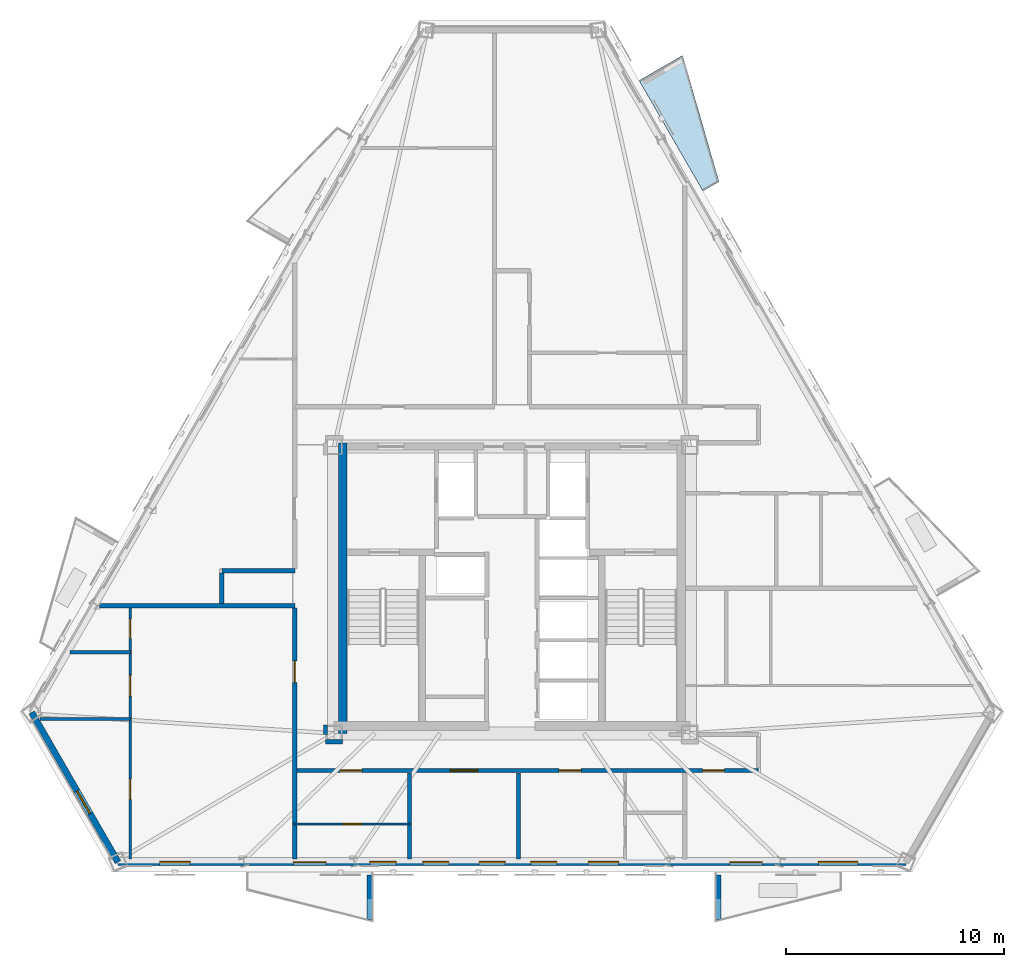
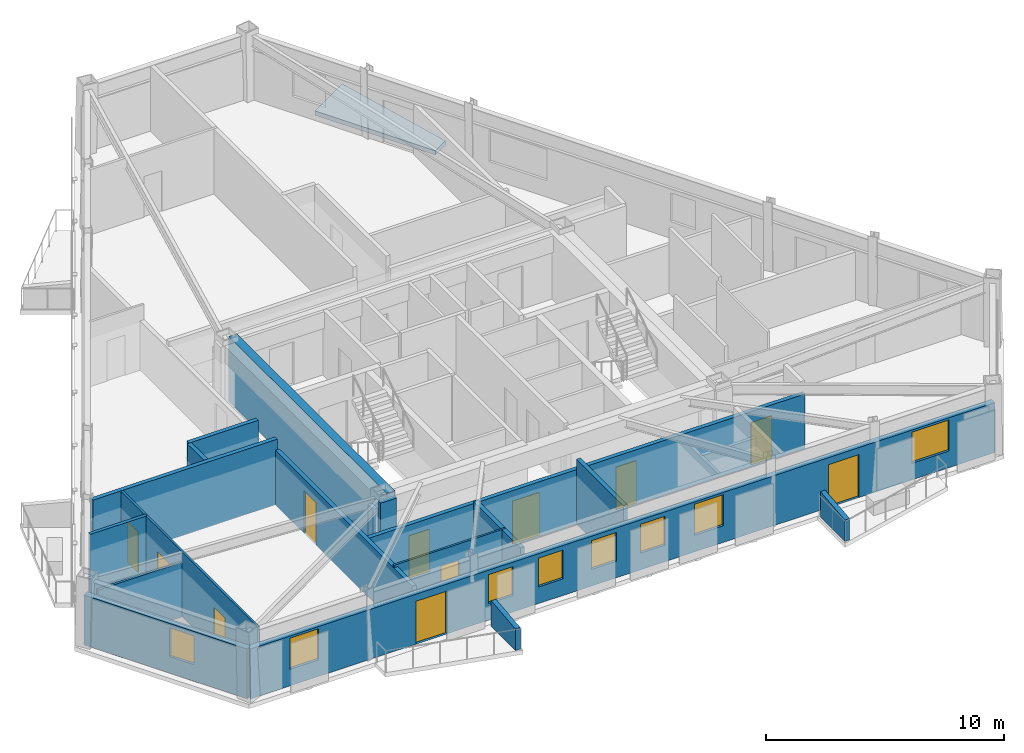
# One storey, part 2 of 9: 18 walls, 11 doors, 8 windows, 1 slab, 19 openings.
"""IFC4 building model written with IfcOpenShell, lengths in metres."""

from ifc_helpers import new_model, si_unit, direction, frame, frame_2d, origin, place, context, subcontext, project, spatial, polyline, rectangle, outline, extrude, material, layer, layer_set, type_object, element, fill, save


model = new_model("IFC4")

# Units and contexts
model_context = context("Model", 3, precision=1e-05, world=origin(), true_north=direction((0.0, 1.0)))
body_context = subcontext(model_context, "Body", "Model", "MODEL_VIEW")
ifc_project = project(units=[si_unit("LENGTHUNIT", "METRE"), si_unit("AREAUNIT", "SQUARE_METRE"), si_unit("VOLUMEUNIT", "CUBIC_METRE"), si_unit("PLANEANGLEUNIT", "RADIAN"), si_unit("MASSUNIT", "GRAM", prefix="KILO")], contexts=[model_context])

# Site, building, storey
site_placement = place(None, origin())
site = spatial("IfcSite", under=ifc_project, at=site_placement, CompositionType="ELEMENT")
building_placement = place(site_placement, origin())
building = spatial("IfcBuilding", under=site, at=building_placement, Name="Oramaril Tower", CompositionType="ELEMENT")
storey_placement = place(building_placement, frame((0.0, 0.0, 185.39990234375)))
storey = spatial("IfcBuildingStorey", under=building, at=storey_placement, Name="L49", CompositionType="ELEMENT", Elevation=185.39990234375)

# Slab
ifc_material_1 = material(Name="Concrete C40/50", Category="concrete")
ifc_layer_1 = layer(ifc_material_1, 0.199951171875)
ifc_layer_set_1 = layer_set([ifc_layer_1], Name="SLT-BAL20")
slab_type = type_object("IfcSlabType", Name="SLT-BAL20", PredefinedType="FLOOR", material=ifc_layer_set_1)
slab_placement = place(storey_placement, frame((0.0, 0.0, -0.219970703125)))
element("IfcSlab", 1, at=slab_placement, inside=storey, type_object=slab_type, Name="L49 Cantilevered Balcony Slab L49-BAL-NE2", PredefinedType="FLOOR", context=body_context, shape_type="SweptSolid", body=[
    extrude(outline(polyline([(46.250244140625, 35.859375), (43.3251953125, 40.925537109375), (45.31884765625, 42.07666015625), (46.988037109375, 36.285400390625), (46.250244140625, 35.859375)])), origin(), (0.0, 0.0, 1.0), 0.219970703125),
])

# Wall, opening, window
ifc_material_2 = material(Name="Warm Cream Limestone", Category="masonry")
ifc_layer_2 = layer(ifc_material_2, 0.2900390625)
ifc_layer_set_2 = layer_set([ifc_layer_2], Name="WT-EXT29")
wall_type_1 = type_object("IfcWallType", Name="WT-EXT29", PredefinedType="SOLIDWALL", material=ifc_layer_set_2)
wall_1_placement = place(storey_placement, frame((15.481201171875, 11.961669921875, 0.0), z_axis=(0.0, 0.0, 1.0), x_axis=(0.500003421258, -0.866023428511, 0.0)))
wall_1 = element("IfcWall", 2, at=wall_1_placement, inside=storey, type_object=wall_type_1, Name="L49 Tower Limestone Facade Wall 1M", PredefinedType="SOLIDWALL", context=body_context, shape_type="SweptSolid", body=[
    extrude(rectangle(XDim=7.9228515625, YDim=0.2900390625, at=frame_2d((3.96142578125, 0.0))), origin(), (0.0, 0.0, 1.0), 2.56005859375),
])
opening_1_placement = place(wall_1_placement, frame((4.152099609375, 0.0, 0.85009765625)))
opening_1 = element("IfcOpeningElement", 3, at=opening_1_placement, cuts=wall_1, Name="Opening WN-09", PredefinedType="OPENING", context=body_context, shape_type="SweptSolid", body=[
    extrude(rectangle(XDim=1.199951171875, YDim=1.47998046875, at=frame_2d((0.60009765625, 0.739990234375))), frame((0.0, 0.14501953125, 0.0), z_axis=(0.0, -1.0, 0.0), x_axis=(1.0, 0.0, 0.0)), (0.0, 0.0, 1.0), 0.2900390625),
])
ifc_material_3 = material(Name="Coastal Low-E Insulated Glass", Category="glass")
window_type_1 = type_object("IfcWindowType", Name="WNT-09", PartitioningType="SINGLE_PANEL", PredefinedType="WINDOW", material=ifc_material_3)
window_1_placement = place(opening_1_placement, origin())
window_1 = element("IfcWindow", 4, at=window_1_placement, inside=storey, type_object=window_type_1, Name="L49 Apartment Bedroom Window WN-09", OverallHeight=1.47998046875, OverallWidth=1.199951171875, PartitioningType="SINGLE_PANEL", PredefinedType="WINDOW", context=body_context, shape_type="SweptSolid", body=[
    extrude(rectangle(XDim=1.199951171875, YDim=1.47998046875, at=frame_2d((0.60009765625, 0.739990234375))), frame((0.0, 0.030029296875, 0.0), z_axis=(0.0, -1.0, 0.0), x_axis=(1.0, 0.0, 0.0)), (0.0, 0.0, 1.0), 0.06005859375),
])
fill(opening_1, window_1)

# Wall, openings, doors, windows
wall_2_placement = place(storey_placement, frame((19.442626953125, 5.100341796875, 0.0), z_axis=(0.0, 0.0, 1.0), x_axis=(1.0, 0.0, 0.0)))
wall_2 = element("IfcWall", 5, at=wall_2_placement, inside=storey, type_object=wall_type_1, Name="L49 Tower Limestone Facade Wall 2M", PredefinedType="SOLIDWALL", context=body_context, shape_type="SweptSolid", body=[
    extrude(rectangle(XDim=36.11474609375, YDim=0.2900390625, at=frame_2d((18.057373046875, 0.0))), origin(), (0.0, 0.0, 1.0), 2.56005859375),
])
opening_2_placement = place(wall_2_placement, frame((8.034423828125, 0.0, 0.0)))
opening_2 = element("IfcOpeningElement", 6, at=opening_2_placement, cuts=wall_2, Name="Opening D-L49-BAL-S1", PredefinedType="OPENING", context=body_context, shape_type="SweptSolid", body=[
    extrude(rectangle(XDim=1.5, YDim=2.199951171875, at=frame_2d((0.75, 1.10009765625))), frame((0.0, 0.14501953125, 0.0), z_axis=(0.0, -1.0, 0.0), x_axis=(1.0, 0.0, 0.0)), (0.0, 0.0, 1.0), 0.2900390625),
])
opening_3_placement = place(wall_2_placement, frame((28.03515625, 0.0, 0.0)))
opening_3 = element("IfcOpeningElement", 7, at=opening_3_placement, cuts=wall_2, Name="Opening D-L49-BAL-S2", PredefinedType="OPENING", context=body_context, shape_type="SweptSolid", body=[
    extrude(rectangle(XDim=1.5, YDim=2.199951171875, at=frame_2d((0.75, 1.10009765625))), frame((0.0, 0.14501953125, 0.0), z_axis=(0.0, -1.0, 0.0), x_axis=(1.0, 0.0, 0.0)), (0.0, 0.0, 1.0), 0.2900390625),
])
opening_4_placement = place(wall_2_placement, frame((13.966796875, 0.0, 0.85009765625)))
opening_4 = element("IfcOpeningElement", 8, at=opening_4_placement, cuts=wall_2, Name="Opening WN-09", PredefinedType="OPENING", context=body_context, shape_type="SweptSolid", body=[
    extrude(rectangle(XDim=1.199951171875, YDim=1.47998046875, at=frame_2d((0.60009765625, 0.739990234375))), frame((0.0, 0.14501953125, 0.0), z_axis=(0.0, -1.0, 0.0), x_axis=(1.0, 0.0, 0.0)), (0.0, 0.0, 1.0), 0.2900390625),
])
opening_5_placement = place(wall_2_placement, frame((16.547607421875, 0.0, 0.85009765625)))
opening_5 = element("IfcOpeningElement", 9, at=opening_5_placement, cuts=wall_2, Name="Opening WN-09", PredefinedType="OPENING", context=body_context, shape_type="SweptSolid", body=[
    extrude(rectangle(XDim=1.199951171875, YDim=1.47998046875, at=frame_2d((0.60009765625, 0.739990234375))), frame((0.0, 0.14501953125, 0.0), z_axis=(0.0, -1.0, 0.0), x_axis=(1.0, 0.0, 0.0)), (0.0, 0.0, 1.0), 0.2900390625),
])
opening_6_placement = place(wall_2_placement, frame((11.542236328125, 0.0, 0.85009765625)))
opening_6 = element("IfcOpeningElement", 10, at=opening_6_placement, cuts=wall_2, Name="Opening WN-09", PredefinedType="OPENING", context=body_context, shape_type="SweptSolid", body=[
    extrude(rectangle(XDim=1.199951171875, YDim=1.47998046875, at=frame_2d((0.60009765625, 0.739990234375))), frame((0.0, 0.14501953125, 0.0), z_axis=(0.0, -1.0, 0.0), x_axis=(1.0, 0.0, 0.0)), (0.0, 0.0, 1.0), 0.2900390625),
])
opening_7_placement = place(wall_2_placement, frame((18.91748046875, 0.0, 0.85009765625)))
opening_7 = element("IfcOpeningElement", 11, at=opening_7_placement, cuts=wall_2, Name="Opening WN-09", PredefinedType="OPENING", context=body_context, shape_type="SweptSolid", body=[
    extrude(rectangle(XDim=1.199951171875, YDim=1.47998046875, at=frame_2d((0.60009765625, 0.739990234375))), frame((0.0, 0.14501953125, 0.0), z_axis=(0.0, -1.0, 0.0), x_axis=(1.0, 0.0, 0.0)), (0.0, 0.0, 1.0), 0.2900390625),
])
opening_8_placement = place(wall_2_placement, frame((21.543212890625, 0.0, 0.85009765625)))
opening_8 = element("IfcOpeningElement", 12, at=opening_8_placement, cuts=wall_2, Name="Opening WN-08", PredefinedType="OPENING", context=body_context, shape_type="SweptSolid", body=[
    extrude(rectangle(XDim=1.39990234375, YDim=1.60009765625, at=frame_2d((0.699951171875, 0.800048828125))), frame((0.0, 0.14501953125, 0.0), z_axis=(0.0, -1.0, 0.0), x_axis=(1.0, 0.0, 0.0)), (0.0, 0.0, 1.0), 0.2900390625),
])
opening_9_placement = place(wall_2_placement, frame((1.90234375, 0.0, 0.85009765625)))
opening_9 = element("IfcOpeningElement", 13, at=opening_9_placement, cuts=wall_2, Name="Opening WN-08", PredefinedType="OPENING", context=body_context, shape_type="SweptSolid", body=[
    extrude(rectangle(XDim=1.39990234375, YDim=1.60009765625, at=frame_2d((0.699951171875, 0.800048828125))), frame((0.0, 0.14501953125, 0.0), z_axis=(0.0, -1.0, 0.0), x_axis=(1.0, 0.0, 0.0)), (0.0, 0.0, 1.0), 0.2900390625),
])
opening_10_placement = place(wall_2_placement, frame((32.104736328125, 0.0, 0.85009765625)))
opening_10 = element("IfcOpeningElement", 14, at=opening_10_placement, cuts=wall_2, Name="Opening WN-06", PredefinedType="OPENING", context=body_context, shape_type="SweptSolid", body=[
    extrude(rectangle(XDim=1.800048828125, YDim=1.60009765625, at=frame_2d((0.89990234375, 0.800048828125))), frame((0.0, 0.14501953125, 0.0), z_axis=(0.0, -1.0, 0.0), x_axis=(1.0, 0.0, 0.0)), (0.0, 0.0, 1.0), 0.2900390625),
])
ifc_material_4 = material(Name="Anodised Aluminium 6063-T6", Category="aluminium")
door_type_1 = type_object("IfcDoorType", Name="DT-BAL", OperationType="NOTDEFINED", PredefinedType="DOOR", material=ifc_material_4)
door_1_placement = place(opening_2_placement, origin())
door_1 = element("IfcDoor", 15, at=door_1_placement, inside=storey, type_object=door_type_1, Name="L49 Balcony Glazed Door L49-BAL-S1", OperationType="SINGLE_SWING_RIGHT", OverallHeight=2.199951171875, OverallWidth=1.5, PredefinedType="DOOR", context=body_context, shape_type="SweptSolid", body=[
    extrude(rectangle(XDim=1.5, YDim=2.199951171875, at=frame_2d((0.75, 1.10009765625))), frame((0.0, 0.02490234375, 0.0), z_axis=(0.0, -1.0, 0.0), x_axis=(1.0, 0.0, 0.0)), (0.0, 0.0, 1.0), 0.050048828125),
])
fill(opening_2, door_1)
door_2_placement = place(opening_3_placement, origin())
door_2 = element("IfcDoor", 16, at=door_2_placement, inside=storey, type_object=door_type_1, Name="L49 Balcony Glazed Door L49-BAL-S2", OperationType="SINGLE_SWING_LEFT", OverallHeight=2.199951171875, OverallWidth=1.5, PredefinedType="DOOR", context=body_context, shape_type="SweptSolid", body=[
    extrude(rectangle(XDim=1.5, YDim=2.199951171875, at=frame_2d((0.75, 1.10009765625))), frame((0.0, 0.02490234375, 0.0), z_axis=(0.0, -1.0, 0.0), x_axis=(1.0, 0.0, 0.0)), (0.0, 0.0, 1.0), 0.050048828125),
])
fill(opening_3, door_2)
ifc_material_5 = material(Name="Coastal Low-E Insulated Glass", Category="glass")
window_type_2 = type_object("IfcWindowType", Name="WNT-06", PartitioningType="SINGLE_PANEL", PredefinedType="WINDOW", material=ifc_material_5)
window_2_placement = place(opening_10_placement, origin())
window_2 = element("IfcWindow", 17, at=window_2_placement, inside=storey, type_object=window_type_2, Name="L49 Chicago Bay Window WN-06", OverallHeight=1.60009765625, OverallWidth=1.800048828125, PartitioningType="SINGLE_PANEL", PredefinedType="WINDOW", context=body_context, shape_type="SweptSolid", body=[
    extrude(rectangle(XDim=1.800048828125, YDim=1.60009765625, at=frame_2d((0.89990234375, 0.800048828125))), frame((0.0, 0.030029296875, 0.0), z_axis=(0.0, -1.0, 0.0), x_axis=(1.0, 0.0, 0.0)), (0.0, 0.0, 1.0), 0.06005859375),
])
fill(opening_10, window_2)
ifc_material_6 = material(Name="Coastal Low-E Insulated Glass", Category="glass")
window_type_3 = type_object("IfcWindowType", Name="WNT-08", PartitioningType="SINGLE_PANEL", PredefinedType="WINDOW", material=ifc_material_6)
window_3_placement = place(opening_8_placement, origin())
window_3 = element("IfcWindow", 18, at=window_3_placement, inside=storey, type_object=window_type_3, Name="L49 Chicago Bay Window WN-08", OverallHeight=1.60009765625, OverallWidth=1.39990234375, PartitioningType="SINGLE_PANEL", PredefinedType="WINDOW", context=body_context, shape_type="SweptSolid", body=[
    extrude(rectangle(XDim=1.39990234375, YDim=1.60009765625, at=frame_2d((0.699951171875, 0.800048828125))), frame((0.0, 0.030029296875, 0.0), z_axis=(0.0, -1.0, 0.0), x_axis=(1.0, 0.0, 0.0)), (0.0, 0.0, 1.0), 0.06005859375),
])
fill(opening_8, window_3)
window_4_placement = place(opening_9_placement, origin())
window_4 = element("IfcWindow", 19, at=window_4_placement, inside=storey, type_object=window_type_3, Name="L49 Chicago Bay Window WN-08", OverallHeight=1.60009765625, OverallWidth=1.39990234375, PartitioningType="SINGLE_PANEL", PredefinedType="WINDOW", context=body_context, shape_type="SweptSolid", body=[
    extrude(rectangle(XDim=1.39990234375, YDim=1.60009765625, at=frame_2d((0.699951171875, 0.800048828125))), frame((0.0, 0.030029296875, 0.0), z_axis=(0.0, -1.0, 0.0), x_axis=(1.0, 0.0, 0.0)), (0.0, 0.0, 1.0), 0.06005859375),
])
fill(opening_9, window_4)
window_5_placement = place(opening_4_placement, origin())
window_5 = element("IfcWindow", 20, at=window_5_placement, inside=storey, type_object=window_type_1, Name="L49 Chicago Bay Window WN-09", OverallHeight=1.47998046875, OverallWidth=1.199951171875, PartitioningType="SINGLE_PANEL", PredefinedType="WINDOW", context=body_context, shape_type="SweptSolid", body=[
    extrude(rectangle(XDim=1.199951171875, YDim=1.47998046875, at=frame_2d((0.60009765625, 0.739990234375))), frame((0.0, 0.030029296875, 0.0), z_axis=(0.0, -1.0, 0.0), x_axis=(1.0, 0.0, 0.0)), (0.0, 0.0, 1.0), 0.06005859375),
])
fill(opening_4, window_5)
window_6_placement = place(opening_5_placement, origin())
window_6 = element("IfcWindow", 21, at=window_6_placement, inside=storey, type_object=window_type_1, Name="L49 Chicago Bay Window WN-09", OverallHeight=1.47998046875, OverallWidth=1.199951171875, PartitioningType="SINGLE_PANEL", PredefinedType="WINDOW", context=body_context, shape_type="SweptSolid", body=[
    extrude(rectangle(XDim=1.199951171875, YDim=1.47998046875, at=frame_2d((0.60009765625, 0.739990234375))), frame((0.0, 0.030029296875, 0.0), z_axis=(0.0, -1.0, 0.0), x_axis=(1.0, 0.0, 0.0)), (0.0, 0.0, 1.0), 0.06005859375),
])
fill(opening_5, window_6)
window_7_placement = place(opening_6_placement, origin())
window_7 = element("IfcWindow", 22, at=window_7_placement, inside=storey, type_object=window_type_1, Name="L49 Chicago Bay Window WN-09", OverallHeight=1.47998046875, OverallWidth=1.199951171875, PartitioningType="SINGLE_PANEL", PredefinedType="WINDOW", context=body_context, shape_type="SweptSolid", body=[
    extrude(rectangle(XDim=1.199951171875, YDim=1.47998046875, at=frame_2d((0.60009765625, 0.739990234375))), frame((0.0, 0.030029296875, 0.0), z_axis=(0.0, -1.0, 0.0), x_axis=(1.0, 0.0, 0.0)), (0.0, 0.0, 1.0), 0.06005859375),
])
fill(opening_6, window_7)
window_8_placement = place(opening_7_placement, origin())
window_8 = element("IfcWindow", 23, at=window_8_placement, inside=storey, type_object=window_type_1, Name="L49 Chicago Bay Window WN-09", OverallHeight=1.47998046875, OverallWidth=1.199951171875, PartitioningType="SINGLE_PANEL", PredefinedType="WINDOW", context=body_context, shape_type="SweptSolid", body=[
    extrude(rectangle(XDim=1.199951171875, YDim=1.47998046875, at=frame_2d((0.60009765625, 0.739990234375))), frame((0.0, 0.030029296875, 0.0), z_axis=(0.0, -1.0, 0.0), x_axis=(1.0, 0.0, 0.0)), (0.0, 0.0, 1.0), 0.06005859375),
])
fill(opening_7, window_8)

# Walls
ifc_material_7 = material(Name="Concrete C40/50", Category="concrete")
ifc_layer_3 = layer(ifc_material_7, 0.22998046875)
ifc_layer_set_3 = layer_set([ifc_layer_3], Name="WT-PRP23")
wall_type_2 = type_object("IfcWallType", Name="WT-PRP23", PredefinedType="PARAPET", material=ifc_layer_set_3)
for number, where, z_axis, x_axis, name in (
    (24, (30.97216796875, 4.50244140625, 0.0), (0.0, 0.0, 1.0), (0.0, -1.0, 0.0), "L49 Trapezoidal Balcony Frame Cheek L49-BAL-S1-R"),
    (25, (46.952880859375, 4.50244140625, 0.0), (0.0, 0.0, 1.0), (0.0, -1.0, 0.0), "L49 Trapezoidal Balcony Frame Cheek L49-BAL-S2-L"),
):
    element("IfcWall", number, at=place(storey_placement, frame(where, z_axis=z_axis, x_axis=x_axis)), inside=storey, type_object=wall_type_2, Name=name, PredefinedType="PARAPET", context=body_context, shape_type="SweptSolid", body=[
        extrude(outline(polyline([(0.0, 0.0), (2.0419921875, 0.0), (2.0419921875, 1.10009765625), (0.0, 1.320068359375), (0.0, 0.0)])), frame((0.0, 0.114990234375, 0.0), z_axis=(0.0, -1.0, 0.0), x_axis=(1.0, 0.0, 0.0)), (0.0, 0.0, 1.0), 0.22998046875),
    ])

# Wall, opening, door
ifc_material_8 = material(Name="Acoustic Gypsum Board Partition")
ifc_layer_4 = layer(ifc_material_8, 0.10009765625)
ifc_layer_set_4 = layer_set([ifc_layer_4], Name="WT-PT10")
wall_type_3 = type_object("IfcWallType", Name="WT-PT10", PredefinedType="PARTITIONING", material=ifc_layer_set_4)
wall_3_placement = place(storey_placement, frame((27.468017578125, 6.85009765625, 0.0), z_axis=(0.0, 0.0, 1.0), x_axis=(1.0, 0.0, 0.0)))
wall_3 = element("IfcWall", 26, at=wall_3_placement, inside=storey, type_object=wall_type_3, Name="L49 Interior Partition PT-10", PredefinedType="PARTITIONING", context=body_context, shape_type="SweptSolid", body=[
    extrude(rectangle(XDim=5.4140625, YDim=0.10009765625, at=frame_2d((2.70703125, 0.0))), origin(), (0.0, 0.0, 1.0), 2.926025390625),
])
opening_11_placement = place(wall_3_placement, frame((2.26708984375, 0.0, 0.0)))
opening_11 = element("IfcOpeningElement", 27, at=opening_11_placement, cuts=wall_3, Name="Opening D-L49-01", PredefinedType="OPENING", context=body_context, shape_type="SweptSolid", body=[
    extrude(rectangle(XDim=0.8798828125, YDim=2.080078125, at=frame_2d((0.43994140625, 1.0400390625))), frame((0.0, 0.050048828125, 0.0), z_axis=(0.0, -1.0, 0.0), x_axis=(1.0, 0.0, 0.0)), (0.0, 0.0, 1.0), 0.10009765625),
])
ifc_material_9 = material(Name="FSC Brazilian Freijo Hardwood", Category="wood")
door_type_2 = type_object("IfcDoorType", Name="DT-BATH", OperationType="NOTDEFINED", PredefinedType="DOOR", material=ifc_material_9)
door_3_placement = place(opening_11_placement, origin())
door_3 = element("IfcDoor", 28, at=door_3_placement, inside=storey, type_object=door_type_2, Name="L49 Flat L49-U1 Bathroom Door D-L49-01", OperationType="SINGLE_SWING_RIGHT", OverallHeight=2.080078125, OverallWidth=0.8798828125, PredefinedType="DOOR", context=body_context, shape_type="SweptSolid", body=[
    extrude(rectangle(XDim=0.8798828125, YDim=2.080078125, at=frame_2d((0.43994140625, 1.0400390625))), frame((0.0, 0.02490234375, 0.0), z_axis=(0.0, -1.0, 0.0), x_axis=(1.0, 0.0, 0.0)), (0.0, 0.0, 1.0), 0.050048828125),
])
fill(opening_11, door_3)

# Wall, openings, doors
wall_4_placement = place(storey_placement, frame((20.0, 5.24951171875, 0.0), z_axis=(0.0, 0.0, 1.0), x_axis=(0.0, 1.0, 0.0)))
wall_4 = element("IfcWall", 29, at=wall_4_placement, inside=storey, type_object=wall_type_3, Name="L49 Interior Partition PT-10", PredefinedType="PARTITIONING", context=body_context, shape_type="SweptSolid", body=[
    extrude(rectangle(XDim=11.49658203125, YDim=0.10009765625, at=frame_2d((5.748291015625, 0.0))), origin(), (0.0, 0.0, 1.0), 3.340087890625),
])
opening_12_placement = place(wall_4_placement, frame((2.732177734375, 0.0, 0.0)))
opening_12 = element("IfcOpeningElement", 30, at=opening_12_placement, cuts=wall_4, Name="Opening D-L49-17", PredefinedType="OPENING", context=body_context, shape_type="SweptSolid", body=[
    extrude(rectangle(XDim=0.919921875, YDim=2.1201171875, at=frame_2d((0.4599609375, 1.06005859375))), frame((0.0, 0.050048828125, 0.0), z_axis=(0.0, -1.0, 0.0), x_axis=(1.0, 0.0, 0.0)), (0.0, 0.0, 1.0), 0.10009765625),
])
opening_13_placement = place(wall_4_placement, frame((7.46337890625, 0.0, 0.0)))
opening_13 = element("IfcOpeningElement", 31, at=opening_13_placement, cuts=wall_4, Name="Opening D-L49-18", PredefinedType="OPENING", context=body_context, shape_type="SweptSolid", body=[
    extrude(rectangle(XDim=0.949951171875, YDim=2.10009765625, at=frame_2d((0.47509765625, 1.050048828125))), frame((0.0, 0.050048828125, 0.0), z_axis=(0.0, -1.0, 0.0), x_axis=(1.0, 0.0, 0.0)), (0.0, 0.0, 1.0), 0.10009765625),
])
opening_14_placement = place(wall_4_placement, frame((10.10693359375, 0.0, 0.0)))
opening_14 = element("IfcOpeningElement", 32, at=opening_14_placement, cuts=wall_4, Name="Opening D-L49-19", PredefinedType="OPENING", context=body_context, shape_type="SweptSolid", body=[
    extrude(rectangle(XDim=0.8798828125, YDim=2.080078125, at=frame_2d((0.43994140625, 1.0400390625))), frame((0.0, 0.050048828125, 0.0), z_axis=(0.0, -1.0, 0.0), x_axis=(1.0, 0.0, 0.0)), (0.0, 0.0, 1.0), 0.10009765625),
])
door_4_placement = place(opening_14_placement, origin())
door_4 = element("IfcDoor", 33, at=door_4_placement, inside=storey, type_object=door_type_2, Name="L49 Flat L49-U3 Bathroom Door D-L49-19", OperationType="SINGLE_SWING_RIGHT", OverallHeight=2.080078125, OverallWidth=0.8798828125, PredefinedType="DOOR", context=body_context, shape_type="SweptSolid", body=[
    extrude(rectangle(XDim=0.8798828125, YDim=2.080078125, at=frame_2d((0.43994140625, 1.0400390625))), frame((0.0, 0.02490234375, 0.0), z_axis=(0.0, -1.0, 0.0), x_axis=(1.0, 0.0, 0.0)), (0.0, 0.0, 1.0), 0.050048828125),
])
fill(opening_14, door_4)
ifc_material_10 = material(Name="FSC Brazilian Freijo Hardwood", Category="wood")
door_type_3 = type_object("IfcDoorType", Name="DT-BED", OperationType="NOTDEFINED", PredefinedType="DOOR", material=ifc_material_10)
door_5_placement = place(opening_12_placement, origin())
door_5 = element("IfcDoor", 34, at=door_5_placement, inside=storey, type_object=door_type_3, Name="L49 Flat L49-U3 Master Bedroom Door D-L49-17", OperationType="SINGLE_SWING_RIGHT", OverallHeight=2.1201171875, OverallWidth=0.919921875, PredefinedType="DOOR", context=body_context, shape_type="SweptSolid", body=[
    extrude(rectangle(XDim=0.919921875, YDim=2.1201171875, at=frame_2d((0.4599609375, 1.06005859375))), frame((0.0, 0.02490234375, 0.0), z_axis=(0.0, -1.0, 0.0), x_axis=(1.0, 0.0, 0.0)), (0.0, 0.0, 1.0), 0.050048828125),
])
fill(opening_12, door_5)
ifc_material_11 = material(Name="FSC Brazilian Freijo Hardwood", Category="wood")
door_type_4 = type_object("IfcDoorType", Name="DT-STDY", OperationType="NOTDEFINED", PredefinedType="DOOR", material=ifc_material_11)
door_6_placement = place(opening_13_placement, origin())
door_6 = element("IfcDoor", 35, at=door_6_placement, inside=storey, type_object=door_type_4, Name="L49 Flat L49-U3 Kitchen Door D-L49-18", OperationType="SINGLE_SWING_LEFT", OverallHeight=2.10009765625, OverallWidth=0.949951171875, PredefinedType="DOOR", context=body_context, shape_type="SweptSolid", body=[
    extrude(rectangle(XDim=0.949951171875, YDim=2.10009765625, at=frame_2d((0.47509765625, 1.050048828125))), frame((0.0, 0.02490234375, 0.0), z_axis=(0.0, -1.0, 0.0), x_axis=(1.0, 0.0, 0.0)), (0.0, 0.0, 1.0), 0.050048828125),
])
fill(opening_13, door_6)

# Walls
ifc_material_12 = material(Name="Acoustic Gypsum Board Partition")
ifc_layer_5 = layer(ifc_material_12, 0.1201171875)
ifc_layer_set_5 = layer_set([ifc_layer_5], Name="WT-PT12")
wall_type_4 = type_object("IfcWallType", Name="WT-PT12", PredefinedType="PARTITIONING", material=ifc_layer_set_5)
wall_5_placement = place(storey_placement, frame((15.869384765625, 11.659912109375, 0.0), z_axis=(0.0, 0.0, 1.0), x_axis=(1.0, 0.0, 0.0)))
element("IfcWall", 36, at=wall_5_placement, inside=storey, type_object=wall_type_4, Name="L49 Interior Partition PT-12", PredefinedType="PARTITIONING", context=body_context, shape_type="SweptSolid", body=[
    extrude(rectangle(XDim=4.135009765625, YDim=0.1201171875, at=frame_2d((2.0673828125, 0.0))), origin(), (0.0, 0.0, 1.0), 2.802001953125),
])
ifc_material_13 = material(Name="Acoustic Gypsum Board Partition")
ifc_layer_6 = layer(ifc_material_13, 0.159912109375)
ifc_layer_set_6 = layer_set([ifc_layer_6], Name="WT-PT16")
wall_type_5 = type_object("IfcWallType", Name="WT-PT16", PredefinedType="PARTITIONING", material=ifc_layer_set_6)
wall_6_placement = place(storey_placement, frame((17.239990234375, 14.7099609375, 0.0), z_axis=(0.0, 0.0, 1.0), x_axis=(1.0, 0.0, 0.0)))
element("IfcWall", 37, at=wall_6_placement, inside=storey, type_object=wall_type_5, Name="L49 Interior Partition PT-16", PredefinedType="PARTITIONING", context=body_context, shape_type="SweptSolid", body=[
    extrude(rectangle(XDim=2.764404296875, YDim=0.159912109375, at=frame_2d((1.38232421875, 0.0))), origin(), (0.0, 0.0, 1.0), 3.340087890625),
])

# Wall, openings, doors
ifc_material_14 = material(Name="Autoclaved Cellular Concrete Block", Category="concrete")
ifc_layer_7 = layer(ifc_material_14, 0.199951171875)
ifc_layer_set_7 = layer_set([ifc_layer_7], Name="WT-PT20")
wall_type_6 = type_object("IfcWallType", Name="WT-PT20", PredefinedType="PARTITIONING", material=ifc_layer_set_7)
wall_7_placement = place(storey_placement, frame((27.550048828125, 9.300048828125, 0.0), z_axis=(0.0, 0.0, 1.0), x_axis=(1.0, 0.0, 0.0)))
wall_7 = element("IfcWall", 38, at=wall_7_placement, inside=storey, type_object=wall_type_6, Name="L49 Interior Partition PT-20", PredefinedType="PARTITIONING", context=body_context, shape_type="SweptSolid", body=[
    extrude(rectangle(XDim=21.25, YDim=0.199951171875, at=frame_2d((10.625, 0.0))), origin(), (0.0, 0.0, 1.0), 2.802001953125),
])
opening_15_placement = place(wall_7_placement, frame((2.07177734375, 0.0, 0.0)))
opening_15 = element("IfcOpeningElement", 39, at=opening_15_placement, cuts=wall_7, Name="Opening D-L49-02", PredefinedType="OPENING", context=body_context, shape_type="SweptSolid", body=[
    extrude(rectangle(XDim=1.0, YDim=2.179931640625, at=frame_2d((0.5, 1.08984375))), frame((0.0, 0.10009765625, 0.0), z_axis=(0.0, -1.0, 0.0), x_axis=(1.0, 0.0, 0.0)), (0.0, 0.0, 1.0), 0.199951171875),
])
opening_16_placement = place(wall_7_placement, frame((7.10009765625, 0.0, 0.0)))
opening_16 = element("IfcOpeningElement", 40, at=opening_16_placement, cuts=wall_7, Name="Opening D-L49-03", PredefinedType="OPENING", context=body_context, shape_type="SweptSolid", body=[
    extrude(rectangle(XDim=1.300048828125, YDim=2.199951171875, at=frame_2d((0.64990234375, 1.10009765625))), frame((0.0, 0.10009765625, 0.0), z_axis=(0.0, -1.0, 0.0), x_axis=(1.0, 0.0, 0.0)), (0.0, 0.0, 1.0), 0.199951171875),
])
opening_17_placement = place(wall_7_placement, frame((12.11474609375, 0.0, 0.0)))
opening_17 = element("IfcOpeningElement", 41, at=opening_17_placement, cuts=wall_7, Name="Opening D-L49-04", PredefinedType="OPENING", context=body_context, shape_type="SweptSolid", body=[
    extrude(rectangle(XDim=1.0, YDim=2.179931640625, at=frame_2d((0.5, 1.08984375))), frame((0.0, 0.10009765625, 0.0), z_axis=(0.0, -1.0, 0.0), x_axis=(1.0, 0.0, 0.0)), (0.0, 0.0, 1.0), 0.199951171875),
])
opening_18_placement = place(wall_7_placement, frame((18.681884765625, 0.0, 0.0)))
opening_18 = element("IfcOpeningElement", 42, at=opening_18_placement, cuts=wall_7, Name="Opening D-L49-05", PredefinedType="OPENING", context=body_context, shape_type="SweptSolid", body=[
    extrude(rectangle(XDim=1.0, YDim=2.179931640625, at=frame_2d((0.5, 1.08984375))), frame((0.0, 0.10009765625, 0.0), z_axis=(0.0, -1.0, 0.0), x_axis=(1.0, 0.0, 0.0)), (0.0, 0.0, 1.0), 0.199951171875),
])
ifc_material_15 = material(Name="FSC Brazilian Freijo Hardwood", Category="wood")
door_type_5 = type_object("IfcDoorType", Name="DT-APT", OperationType="NOTDEFINED", PredefinedType="DOOR", material=ifc_material_15)
door_7_placement = place(opening_15_placement, origin())
door_7 = element("IfcDoor", 43, at=door_7_placement, inside=storey, type_object=door_type_5, Name="L49 Flat L49-U1 Kitchen and Studio Apartment Door D-L49-02", OperationType="SINGLE_SWING_LEFT", OverallHeight=2.179931640625, OverallWidth=1.0, PredefinedType="DOOR", context=body_context, shape_type="SweptSolid", body=[
    extrude(rectangle(XDim=1.0, YDim=2.179931640625, at=frame_2d((0.5, 1.08984375))), frame((0.0, 0.02490234375, 0.0), z_axis=(0.0, -1.0, 0.0), x_axis=(1.0, 0.0, 0.0)), (0.0, 0.0, 1.0), 0.050048828125),
])
fill(opening_15, door_7)
door_8_placement = place(opening_17_placement, origin())
door_8 = element("IfcDoor", 44, at=door_8_placement, inside=storey, type_object=door_type_5, Name="L49 Flat L49-U2 Studio Apartment Door D-L49-04", OperationType="SINGLE_SWING_LEFT", OverallHeight=2.179931640625, OverallWidth=1.0, PredefinedType="DOOR", context=body_context, shape_type="SweptSolid", body=[
    extrude(rectangle(XDim=1.0, YDim=2.179931640625, at=frame_2d((0.5, 1.08984375))), frame((0.0, 0.02490234375, 0.0), z_axis=(0.0, -1.0, 0.0), x_axis=(1.0, 0.0, 0.0)), (0.0, 0.0, 1.0), 0.050048828125),
])
fill(opening_17, door_8)
door_9_placement = place(opening_18_placement, origin())
door_9 = element("IfcDoor", 45, at=door_9_placement, inside=storey, type_object=door_type_5, Name="L49 Flat L49-U5 Penthouse Living and Dining Room Door D-L49-05", OperationType="SINGLE_SWING_RIGHT", OverallHeight=2.179931640625, OverallWidth=1.0, PredefinedType="DOOR", context=body_context, shape_type="SweptSolid", body=[
    extrude(rectangle(XDim=1.0, YDim=2.179931640625, at=frame_2d((0.5, 1.08984375))), frame((0.0, 0.02490234375, 0.0), z_axis=(0.0, -1.0, 0.0), x_axis=(1.0, 0.0, 0.0)), (0.0, 0.0, 1.0), 0.050048828125),
])
fill(opening_18, door_9)
ifc_material_16 = material(Name="FSC Brazilian Freijo Hardwood", Category="wood")
door_type_6 = type_object("IfcDoorType", Name="DT-COM", OperationType="NOTDEFINED", PredefinedType="DOOR", material=ifc_material_16)
door_10_placement = place(opening_16_placement, origin())
door_10 = element("IfcDoor", 46, at=door_10_placement, inside=storey, type_object=door_type_6, Name="L49 L49 Floor Co-Working Office Suite Door D-L49-03", OperationType="SINGLE_SWING_RIGHT", OverallHeight=2.199951171875, OverallWidth=1.300048828125, PredefinedType="DOOR", context=body_context, shape_type="SweptSolid", body=[
    extrude(rectangle(XDim=1.300048828125, YDim=2.199951171875, at=frame_2d((0.64990234375, 1.10009765625))), frame((0.0, 0.02490234375, 0.0), z_axis=(0.0, -1.0, 0.0), x_axis=(1.0, 0.0, 0.0)), (0.0, 0.0, 1.0), 0.050048828125),
])
fill(opening_16, door_10)

# Walls
wall_8_placement = place(storey_placement, frame((28.9599609375, 10.610107421875, 0.0), z_axis=(0.0, 0.0, 1.0), x_axis=(1.0, 0.0, 0.0)))
element("IfcWall", 47, at=wall_8_placement, inside=storey, type_object=wall_type_6, Name="L49 Interior Partition PT-20", PredefinedType="PARTITIONING", context=body_context, shape_type="SweptSolid", body=[
    extrude(rectangle(XDim=0.780029296875, YDim=0.199951171875, at=frame_2d((0.39013671875, 0.0))), origin(), (0.0, 0.0, 1.0), 3.340087890625),
])
wall_9_placement = place(storey_placement, frame((18.60400390625, 16.85009765625, 0.0), z_axis=(0.0, 0.0, 1.0), x_axis=(1.0, 0.0, 0.0)))
element("IfcWall", 48, at=wall_9_placement, inside=storey, type_object=wall_type_6, Name="L49 Interior Partition PT-20", PredefinedType="PARTITIONING", context=body_context, shape_type="SweptSolid", body=[
    extrude(rectangle(XDim=8.946044921875, YDim=0.199951171875, at=frame_2d((4.47314453125, 0.0))), origin(), (0.0, 0.0, 1.0), 3.340087890625),
])
wall_10_placement = place(storey_placement, frame((24.199951171875, 18.449951171875, 0.0), z_axis=(0.0, 0.0, 1.0), x_axis=(1.0, 0.0, 0.0)))
element("IfcWall", 49, at=wall_10_placement, inside=storey, type_object=wall_type_6, Name="L49 Interior Partition PT-20", PredefinedType="PARTITIONING", context=body_context, shape_type="SweptSolid", body=[
    extrude(rectangle(XDim=3.35009765625, YDim=0.199951171875, at=frame_2d((1.675048828125, 0.0))), origin(), (0.0, 0.0, 1.0), 3.340087890625),
])
wall_11_placement = place(storey_placement, frame((24.199951171875, 16.9541015625, 0.0), z_axis=(0.0, 0.0, 1.0), x_axis=(0.0, 1.0, 0.0)))
element("IfcWall", 50, at=wall_11_placement, inside=storey, type_object=wall_type_6, Name="L49 Interior Partition PT-20", PredefinedType="PARTITIONING", context=body_context, shape_type="SweptSolid", body=[
    extrude(rectangle(XDim=1.391845703125, YDim=0.199951171875, at=frame_2d((0.69580078125, 0.0))), origin(), (0.0, 0.0, 1.0), 3.340087890625),
])

# Wall, opening, door
wall_12_placement = place(storey_placement, frame((27.550048828125, 5.24951171875, 0.0), z_axis=(0.0, 0.0, 1.0), x_axis=(0.0, 1.0, 0.0)))
wall_12 = element("IfcWall", 51, at=wall_12_placement, inside=storey, type_object=wall_type_6, Name="L49 Interior Partition PT-20", PredefinedType="PARTITIONING", context=body_context, shape_type="SweptSolid", body=[
    extrude(rectangle(XDim=11.49658203125, YDim=0.199951171875, at=frame_2d((5.748291015625, 0.0))), origin(), (0.0, 0.0, 1.0), 2.802001953125),
])
opening_19_placement = place(wall_12_placement, frame((8.076171875, 0.0, 0.0)))
opening_19 = element("IfcOpeningElement", 52, at=opening_19_placement, cuts=wall_12, Name="Opening D-L49-20", PredefinedType="OPENING", context=body_context, shape_type="SweptSolid", body=[
    extrude(rectangle(XDim=1.0, YDim=2.179931640625, at=frame_2d((0.5, 1.08984375))), frame((0.0, 0.10009765625, 0.0), z_axis=(0.0, -1.0, 0.0), x_axis=(1.0, 0.0, 0.0)), (0.0, 0.0, 1.0), 0.199951171875),
])
door_11_placement = place(opening_19_placement, origin())
door_11 = element("IfcDoor", 53, at=door_11_placement, inside=storey, type_object=door_type_5, Name="L49 Flat L49-U3 Penthouse Living and Dining Room Door D-L49-20", OperationType="SINGLE_SWING_LEFT", OverallHeight=2.179931640625, OverallWidth=1.0, PredefinedType="DOOR", context=body_context, shape_type="SweptSolid", body=[
    extrude(rectangle(XDim=1.0, YDim=2.179931640625, at=frame_2d((0.5, 1.08984375))), frame((0.0, 0.02490234375, 0.0), z_axis=(0.0, -1.0, 0.0), x_axis=(1.0, 0.0, 0.0)), (0.0, 0.0, 1.0), 0.050048828125),
])
fill(opening_19, door_11)

# Walls
wall_13_placement = place(storey_placement, frame((28.949951171875, 10.949951171875, 0.0), z_axis=(0.0, 0.0, 1.0), x_axis=(0.0, 1.0, 0.0)))
element("IfcWall", 54, at=wall_13_placement, inside=storey, type_object=wall_type_6, Name="L49 Interior Partition PT-20", PredefinedType="PARTITIONING", context=body_context, shape_type="SweptSolid", body=[
    extrude(rectangle(XDim=0.445068359375, YDim=0.199951171875, at=frame_2d((0.22265625, 0.0))), origin(), (0.0, 0.0, 1.0), 2.802001953125),
])
wall_14_placement = place(storey_placement, frame((32.800048828125, 5.24951171875, 0.0), z_axis=(0.0, 0.0, 1.0), x_axis=(0.0, 1.0, 0.0)))
element("IfcWall", 55, at=wall_14_placement, inside=storey, type_object=wall_type_6, Name="L49 Interior Partition PT-20", PredefinedType="PARTITIONING", context=body_context, shape_type="SweptSolid", body=[
    extrude(rectangle(XDim=3.946533203125, YDim=0.199951171875, at=frame_2d((1.97314453125, 0.0))), origin(), (0.0, 0.0, 1.0), 2.926025390625),
])
wall_15_placement = place(storey_placement, frame((37.800048828125, 5.24951171875, 0.0), z_axis=(0.0, 0.0, 1.0), x_axis=(0.0, 1.0, 0.0)))
element("IfcWall", 56, at=wall_15_placement, inside=storey, type_object=wall_type_6, Name="L49 Interior Partition PT-20", PredefinedType="PARTITIONING", context=body_context, shape_type="SweptSolid", body=[
    extrude(rectangle(XDim=3.946533203125, YDim=0.199951171875, at=frame_2d((1.97314453125, 0.0))), origin(), (0.0, 0.0, 1.0), 3.340087890625),
])
ifc_material_17 = material(Name="Concrete C50/60", Category="concrete")
ifc_layer_8 = layer(ifc_material_17, 0.39990234375)
ifc_layer_set_8 = layer_set([ifc_layer_8], Name="WT-SH40")
wall_type_7 = type_object("IfcWallType", Name="WT-SH40", PredefinedType="SHEAR", material=ifc_layer_set_8)
wall_16_placement = place(storey_placement, frame((29.739990234375, 11.0, 0.0), z_axis=(0.0, 0.0, 1.0), x_axis=(0.0, 1.0, 0.0)))
element("IfcWall", 57, at=wall_16_placement, inside=storey, type_object=wall_type_7, Name="L49 Core Shear Wall CW-W", PredefinedType="SHEAR", context=body_context, shape_type="SweptSolid", body=[
    extrude(rectangle(XDim=13.300048828125, YDim=0.39990234375, at=frame_2d((6.64990234375, 0.0))), origin(), (0.0, 0.0, 1.0), 3.340087890625),
])

save(model, "model.ifc")
